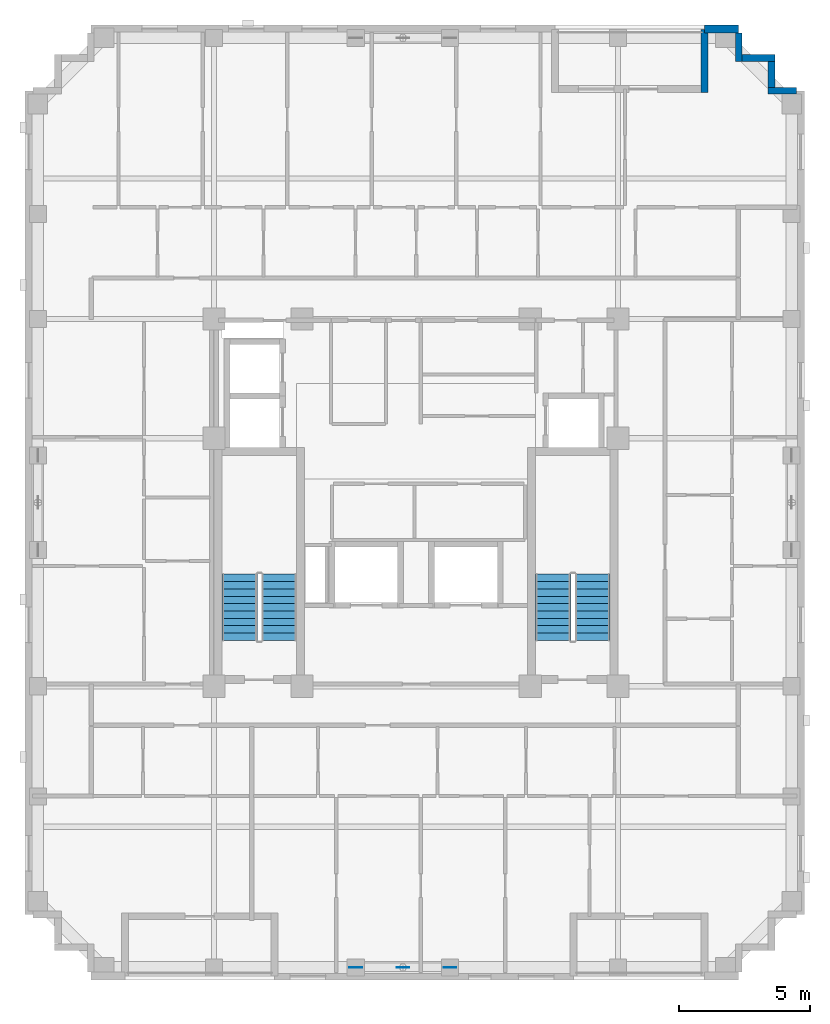
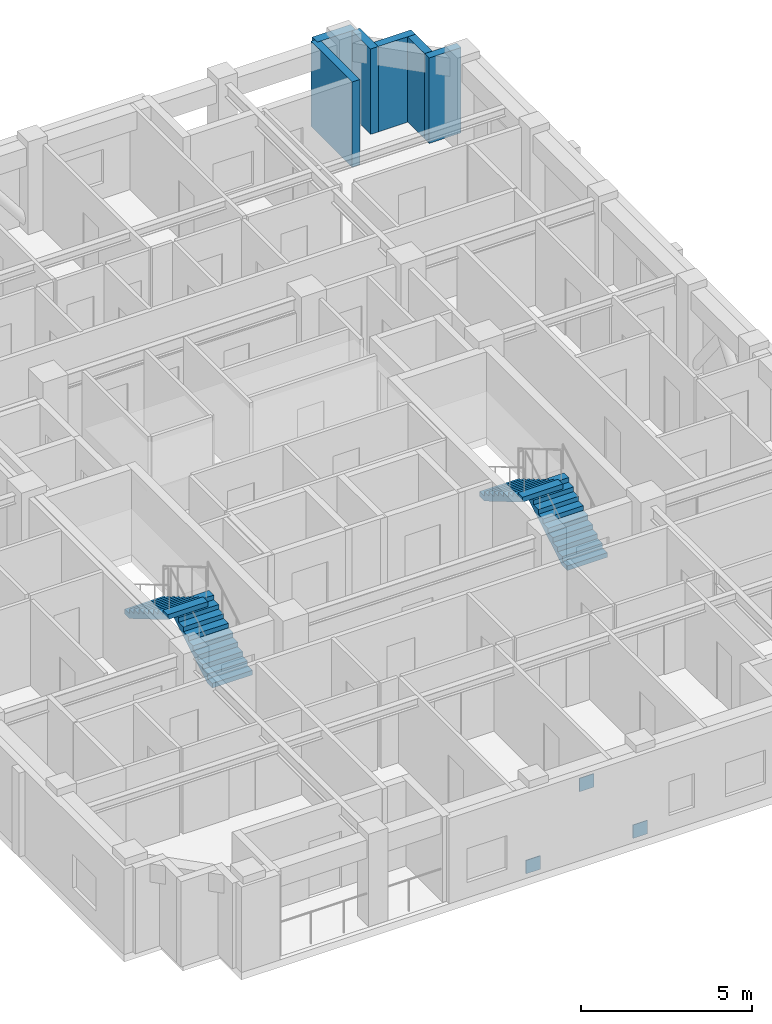
# One storey, part 8 of 11: 6 walls, 4 stair flights, 3 discrete accessories, 2 elements without a shape of their own.
"""IFC4 building model written with IfcOpenShell, lengths in metres."""

from ifc_helpers import new_model, si_unit, derived_unit, direction, frame, frame_2d, origin, origin_2d, place, context, subcontext, project, spatial, polyline, rectangle, outline, extrude, material, layer, layer_set, type_object, element, aggregate, save


model = new_model("IFC4")

# Units and contexts
model_context = context("Model", 3, precision=1e-05, world=origin(), true_north=direction((0.0, 1.0)))
body_context = subcontext(model_context, "Body", "Model", "MODEL_VIEW")
ifc_project = project(units=[si_unit("LENGTHUNIT", "METRE"), si_unit("AREAUNIT", "SQUARE_METRE"), si_unit("VOLUMEUNIT", "CUBIC_METRE"), si_unit("PLANEANGLEUNIT", "RADIAN"), si_unit("MASSUNIT", "GRAM", prefix="KILO"), derived_unit("THERMALTRANSMITTANCEUNIT", [(si_unit("MASSUNIT", "GRAM", prefix="KILO"), 1), (si_unit("TIMEUNIT", "SECOND"), -3), (si_unit("THERMODYNAMICTEMPERATUREUNIT", "KELVIN"), -1)])], contexts=[model_context])

# Site, building, storey
site_placement = place(None, origin())
site = spatial("IfcSite", under=ifc_project, at=site_placement, CompositionType="ELEMENT")
building_placement = place(site_placement, origin())
building = spatial("IfcBuilding", under=site, at=building_placement, Name="Korrvale Station Residences", CompositionType="ELEMENT")
storey_placement = place(building_placement, frame((0.0, 0.0, 194.199951171875)))
storey = spatial("IfcBuildingStorey", under=building, at=storey_placement, Name="L56", CompositionType="ELEMENT", Elevation=194.199951171875)

# Walls
ifc_material_1 = material(Name="Precast concrete C45/55", Category="concrete")
ifc_layer_1 = layer(ifc_material_1, 0.260009765625, Name="Precast concrete C45/55")
ifc_layer_set_1 = layer_set([ifc_layer_1], Name="Precast concrete C45/55")
wall_type_1 = type_object("IfcWallType", Name="WAL-EXT-LOG260", PredefinedType="SOLIDWALL", material=ifc_layer_set_1)
wall_1_placement = place(storey_placement, frame((36.5, 37.639892578125, 0.0), z_axis=(0.0, 0.0, 1.0), x_axis=(0.0, 1.0, 0.0)))
element("IfcWall", 1, at=wall_1_placement, inside=storey, type_object=wall_type_1, Name="L56 Recessed Loggia Wall BAL-L56-N1-R", PredefinedType="SOLIDWALL", context=body_context, shape_type="SweptSolid", body=[
    extrude(rectangle(XDim=2.400146484375, YDim=0.260009765625, at=frame_2d((1.2001953125, 0.0))), origin(), (0.0, 0.0, 1.0), 3.0400390625),
])
wall_2_placement = place(storey_placement, frame((37.800048828125, 39.89794921875, 0.0), z_axis=(0.0, 0.0, 1.0), x_axis=(0.0, -1.0, 0.0)))
element("IfcWall", 2, at=wall_2_placement, inside=storey, type_object=wall_type_1, Name="L56 Serrated Corner Precast Step NE-1", PredefinedType="SOLIDWALL", context=body_context, shape_type="SweptSolid", body=[
    extrude(rectangle(XDim=1.077880859375, YDim=0.260009765625, at=frame_2d((0.5390625, 0.0))), origin(), (0.0, 0.0, 1.0), 3.0400390625),
])
wall_3_placement = place(storey_placement, frame((37.931884765625, 38.949951171875, 0.0), z_axis=(0.0, 0.0, 1.0), x_axis=(1.0, 0.0, 0.0)))
element("IfcWall", 3, at=wall_3_placement, inside=storey, type_object=wall_type_1, Name="L56 Serrated Corner Precast Step NE-2", PredefinedType="SOLIDWALL", context=body_context, shape_type="SweptSolid", body=[
    extrude(rectangle(XDim=1.248046875, YDim=0.260009765625, at=frame_2d((0.6240234375, 0.0))), origin(), (0.0, 0.0, 1.0), 3.0400390625),
])
wall_4_placement = place(storey_placement, frame((39.050048828125, 38.818115234375, 0.0), z_axis=(0.0, 0.0, 1.0), x_axis=(0.0, -1.0, 0.0)))
element("IfcWall", 4, at=wall_4_placement, inside=storey, type_object=wall_type_1, Name="L56 Serrated Corner Precast Step NE-3", PredefinedType="SOLIDWALL", context=body_context, shape_type="SweptSolid", body=[
    extrude(rectangle(XDim=0.986083984375, YDim=0.260009765625, at=frame_2d((0.4931640625, 0.0))), origin(), (0.0, 0.0, 1.0), 3.0400390625),
])
wall_5_placement = place(storey_placement, frame((38.919921875, 37.699951171875, 0.0), z_axis=(0.0, 0.0, 1.0), x_axis=(1.0, 0.0, 0.0)))
element("IfcWall", 5, at=wall_5_placement, inside=storey, type_object=wall_type_1, Name="L56 Serrated Corner Precast Step NE-4", PredefinedType="SOLIDWALL", context=body_context, shape_type="SweptSolid", body=[
    extrude(rectangle(XDim=1.078125, YDim=0.260009765625, at=frame_2d((0.5390625, 0.0))), origin(), (0.0, 0.0, 1.0), 3.0400390625),
])
ifc_layer_2 = layer(ifc_material_1, 0.300048828125, Name="Precast concrete C45/55")
ifc_layer_set_2 = layer_set([ifc_layer_2], Name="Precast concrete C45/55")
wall_type_2 = type_object("IfcWallType", Name="WAL-EXT-PC300", PredefinedType="SOLIDWALL", material=ifc_layer_set_2)
wall_6_placement = place(storey_placement, frame((36.5, 40.050048828125, 0.0), z_axis=(0.0, 0.0, 1.0), x_axis=(1.0, 0.0, 0.0)))
element("IfcWall", 6, at=wall_6_placement, inside=storey, type_object=wall_type_2, Name="L56 North Exterior Precast Wall 2", PredefinedType="SOLIDWALL", context=body_context, shape_type="SweptSolid", body=[
    extrude(rectangle(XDim=1.300048828125, YDim=0.300048828125, at=frame_2d((0.64990234375, 0.0))), origin(), (0.0, 0.0, 1.0), 3.0400390625),
])

# Stair, stair flights
ifc_material_2 = material(Name="Concrete C50/60", Category="concrete")
stair_type = type_object("IfcStairType", Name="STR-DL-1350-20R-1650", PredefinedType="HALF_TURN_STAIR", material=ifc_material_2)
stair_1_placement = place(storey_placement, origin())
stair_1 = element("IfcStair", 7, at=stair_1_placement, inside=storey, type_object=stair_type, Name="L56 Exit Stair 1", PredefinedType="HALF_TURN_STAIR")
stair_flight_type = type_object("IfcStairFlightType", Name="FLT-DL-1350-20R-1650", PredefinedType="STRAIGHT", material=ifc_material_2)
stair_flight_1_placement = place(storey_placement, frame((20.27490234375, 16.75, 0.0), z_axis=(0.0, 0.0, 1.0), x_axis=(0.0, 1.0, 0.0)))
stair_flight_1 = element("IfcStairFlight", 8, at=stair_flight_1_placement, type_object=stair_flight_type, Name="ST-1 flight 1", NumberOfRisers=10, NumberOfTreads=9, PredefinedType="STRAIGHT", RiserHeight=0.165, TreadLength=0.28, context=body_context, shape_type="SweptSolid", body=[
    extrude(outline(polyline([(0.0, 0.0), (0.0, 0.1650390625), (0.280029296875, 0.1650390625), (0.280029296875, 0.330078125), (0.56005859375, 0.330078125), (0.56005859375, 0.4951171875), (0.840087890625, 0.4951171875), (0.840087890625, 0.659912109375), (1.1201171875, 0.659912109375), (1.1201171875, 0.824951171875), (1.39990234375, 0.824951171875), (1.39990234375, 0.989990234375), (1.679931640625, 0.989990234375), (1.679931640625, 1.155029296875), (1.9599609375, 1.155029296875), (1.9599609375, 1.320068359375), (2.239990234375, 1.320068359375), (2.239990234375, 1.485107421875), (2.52001953125, 1.485107421875), (2.52001953125, 1.64990234375), (2.52001953125, 1.31103515625), (0.295166015625, 0.0), (0.0, 0.0)])), frame((0.0, 0.675048828125, 0.0), z_axis=(0.0, -1.0, 0.0), x_axis=(1.0, 0.0, 0.0)), (0.0, 0.0, 1.0), 1.35009765625),
])
stair_flight_2_placement = place(storey_placement, frame((18.77490234375, 19.27001953125, 1.650146484375), z_axis=(0.0, 0.0, 1.0), x_axis=(0.0, -1.0, 0.0)))
stair_flight_2 = element("IfcStairFlight", 9, at=stair_flight_2_placement, type_object=stair_flight_type, Name="ST-1 flight 2", NumberOfRisers=10, NumberOfTreads=9, PredefinedType="STRAIGHT", RiserHeight=0.165, TreadLength=0.28, context=body_context, shape_type="SweptSolid", body=[
    extrude(outline(polyline([(0.0, 0.0), (0.0, 0.1650390625), (0.280029296875, 0.1650390625), (0.280029296875, 0.330078125), (0.56005859375, 0.330078125), (0.56005859375, 0.4951171875), (0.840087890625, 0.4951171875), (0.840087890625, 0.659912109375), (1.1201171875, 0.659912109375), (1.1201171875, 0.824951171875), (1.39990234375, 0.824951171875), (1.39990234375, 0.989990234375), (1.679931640625, 0.989990234375), (1.679931640625, 1.155029296875), (1.9599609375, 1.155029296875), (1.9599609375, 1.320068359375), (2.239990234375, 1.320068359375), (2.239990234375, 1.485107421875), (2.52001953125, 1.485107421875), (2.52001953125, 1.64990234375), (2.52001953125, 1.31103515625), (0.295166015625, 0.0), (0.0, 0.0)])), frame((0.0, 0.675048828125, 0.0), z_axis=(0.0, -1.0, 0.0), x_axis=(1.0, 0.0, 0.0)), (0.0, 0.0, 1.0), 1.35009765625),
])
aggregate(stair_1, [stair_flight_1, stair_flight_2])

stair_2_placement = place(storey_placement, origin())
stair_2 = element("IfcStair", 10, at=stair_2_placement, inside=storey, type_object=stair_type, Name="L56 Exit Stair 2", PredefinedType="HALF_TURN_STAIR")
stair_flight_3_placement = place(storey_placement, frame((32.22509765625, 16.75, 0.0), z_axis=(0.0, 0.0, 1.0), x_axis=(0.0, 1.0, 0.0)))
stair_flight_3 = element("IfcStairFlight", 11, at=stair_flight_3_placement, type_object=stair_flight_type, Name="ST-2 flight 1", NumberOfRisers=10, NumberOfTreads=9, PredefinedType="STRAIGHT", RiserHeight=0.165, TreadLength=0.28, context=body_context, shape_type="SweptSolid", body=[
    extrude(outline(polyline([(0.0, 0.0), (0.0, 0.1650390625), (0.280029296875, 0.1650390625), (0.280029296875, 0.330078125), (0.56005859375, 0.330078125), (0.56005859375, 0.4951171875), (0.840087890625, 0.4951171875), (0.840087890625, 0.659912109375), (1.1201171875, 0.659912109375), (1.1201171875, 0.824951171875), (1.39990234375, 0.824951171875), (1.39990234375, 0.989990234375), (1.679931640625, 0.989990234375), (1.679931640625, 1.155029296875), (1.9599609375, 1.155029296875), (1.9599609375, 1.320068359375), (2.239990234375, 1.320068359375), (2.239990234375, 1.485107421875), (2.52001953125, 1.485107421875), (2.52001953125, 1.64990234375), (2.52001953125, 1.31103515625), (0.295166015625, 0.0), (0.0, 0.0)])), frame((0.0, 0.675048828125, 0.0), z_axis=(0.0, -1.0, 0.0), x_axis=(1.0, 0.0, 0.0)), (0.0, 0.0, 1.0), 1.35009765625),
])
stair_flight_4_placement = place(storey_placement, frame((30.72509765625, 19.27001953125, 1.650146484375), z_axis=(0.0, 0.0, 1.0), x_axis=(0.0, -1.0, 0.0)))
stair_flight_4 = element("IfcStairFlight", 12, at=stair_flight_4_placement, type_object=stair_flight_type, Name="ST-2 flight 2", NumberOfRisers=10, NumberOfTreads=9, PredefinedType="STRAIGHT", RiserHeight=0.165, TreadLength=0.28, context=body_context, shape_type="SweptSolid", body=[
    extrude(outline(polyline([(0.0, 0.0), (0.0, 0.1650390625), (0.280029296875, 0.1650390625), (0.280029296875, 0.330078125), (0.56005859375, 0.330078125), (0.56005859375, 0.4951171875), (0.840087890625, 0.4951171875), (0.840087890625, 0.659912109375), (1.1201171875, 0.659912109375), (1.1201171875, 0.824951171875), (1.39990234375, 0.824951171875), (1.39990234375, 0.989990234375), (1.679931640625, 0.989990234375), (1.679931640625, 1.155029296875), (1.9599609375, 1.155029296875), (1.9599609375, 1.320068359375), (2.239990234375, 1.320068359375), (2.239990234375, 1.485107421875), (2.52001953125, 1.485107421875), (2.52001953125, 1.64990234375), (2.52001953125, 1.31103515625), (0.295166015625, 0.0), (0.0, 0.0)])), frame((0.0, 0.675048828125, 0.0), z_axis=(0.0, -1.0, 0.0), x_axis=(1.0, 0.0, 0.0)), (0.0, 0.0, 1.0), 1.35009765625),
])
aggregate(stair_2, [stair_flight_3, stair_flight_4])

# Discrete accessories
ifc_material_3 = material(Name="Steel S355", Category="steel")
ifc_layer_3 = layer(ifc_material_3, 0.02490234375, Name="Steel S355")
ifc_layer_set_3 = layer_set([ifc_layer_3], Name="Steel S355")
discrete_accessory_type = type_object("IfcDiscreteAccessoryType", Name="ACC-GUSSET-25", PredefinedType="BRACKET", material=ifc_layer_set_3)
for number, where, z_axis, x_axis, name in (
    (13, (23.199951171875, 4.280029296875, -0.219970703125), (0.0, 0.0, 1.0), (1.0, 0.0, 0.0), "L56 S Brace End Gusset Connection A"),
    (14, (26.800048828125, 4.280029296875, -0.219970703125), (0.0, 0.0, 1.0), (1.0, 0.0, 0.0), "L56 S Brace End Gusset Connection B"),
    (15, (25.0, 4.280029296875, 2.070068359375), (0.0, 0.0, 1.0), (1.0, 0.0, 0.0), "L56 S Brace End Gusset Connection M"),
):
    element("IfcDiscreteAccessory", number, at=place(storey_placement, frame(where, z_axis=z_axis, x_axis=x_axis)), inside=storey, type_object=discrete_accessory_type, Name=name, PredefinedType="BRACKET", context=body_context, shape_type="SweptSolid", body=[
        extrude(rectangle(XDim=0.47998046875, YDim=0.02490234375, at=origin_2d()), origin(), (0.0, 0.0, 1.0), 0.47998046875),
    ])

save(model, "model.ifc")
